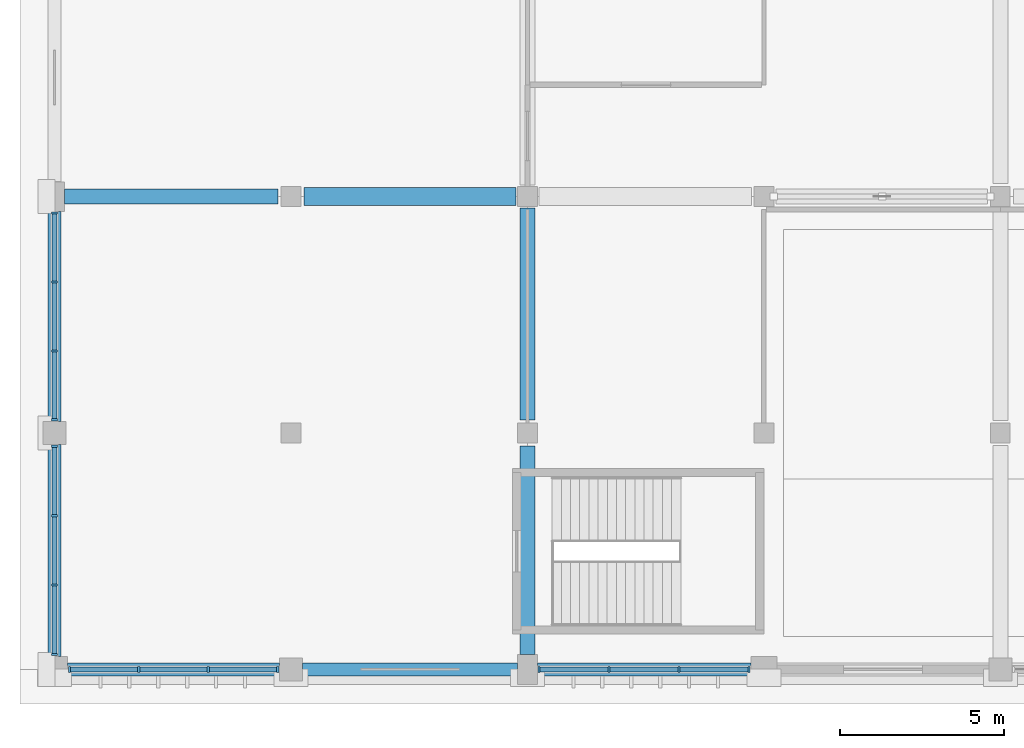
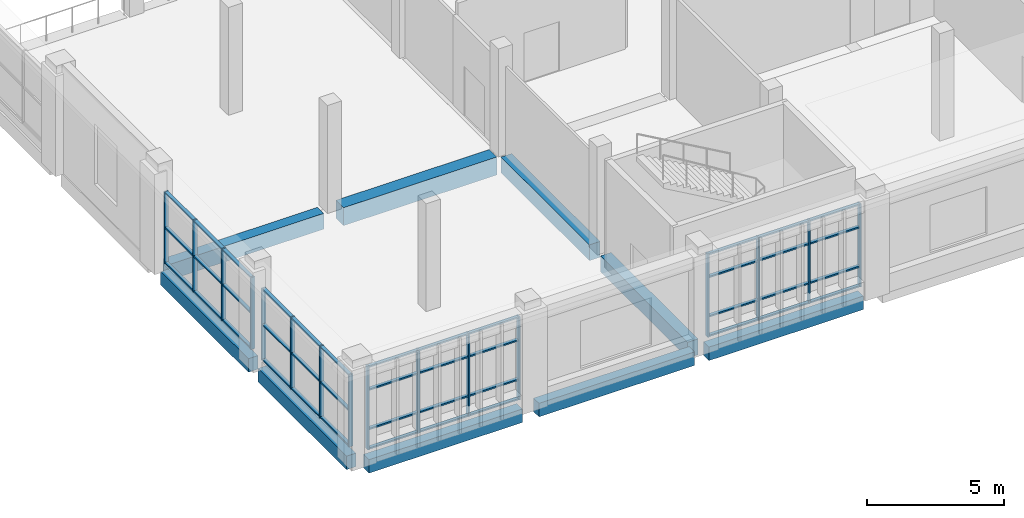
# One storey, part 16 of 82: 58 members, 9 beams, 4 elements without a shape of their own.
"""IFC4 building model written with IfcOpenShell, lengths in metres."""

from ifc_helpers import new_model, si_unit, direction, frame, origin, origin_2d, place, context, subcontext, project, spatial, rectangle, extrude, material, material_profile, profile_set, type_object, element, aggregate, save


model = new_model("IFC4")

# Units and contexts
model_context = context("Model", 3, precision=1e-05, world=origin(), true_north=direction((0.0, 1.0)))
body_context = subcontext(model_context, "Body", "Model", "MODEL_VIEW")
ifc_project = project(units=[si_unit("LENGTHUNIT", "METRE"), si_unit("AREAUNIT", "SQUARE_METRE"), si_unit("VOLUMEUNIT", "CUBIC_METRE"), si_unit("PLANEANGLEUNIT", "RADIAN"), si_unit("MASSUNIT", "GRAM", prefix="KILO")], contexts=[model_context])

# Site, building, storey
site_placement = place(None, origin())
site = spatial("IfcSite", under=ifc_project, at=site_placement, CompositionType="ELEMENT")
building_placement = place(site_placement, origin())
building = spatial("IfcBuilding", under=site, at=building_placement, Name="Sardonyx Promenade Sports Hall", CompositionType="ELEMENT")
storey_placement = place(building_placement, frame((0.0, 0.0, 11.199951171875)))
storey = spatial("IfcBuildingStorey", under=building, at=storey_placement, Name="L02", CompositionType="ELEMENT", Elevation=11.199951171875)

# Beams
ifc_material_1 = material(Name="Concrete C40/50", Category="concrete")
ifc_material_profile_1 = material_profile(ifc_material_1, rectangle(XDim=0.550048828125, YDim=0.800048828125, at=origin_2d()))
ifc_profile_set_1 = profile_set([ifc_material_profile_1], Name="Concrete C40/50")
beam_type_1 = type_object("IfcBeamType", Name="Bm_Girder_RC800", PredefinedType="BEAM", material=ifc_profile_set_1)
beam_1_placement = place(storey_placement, frame((7.60009765625, 14.39990234375, -0.39990234375), z_axis=(1.0, 0.0, 0.0), x_axis=(0.0, 1.0, 0.0)))
element("IfcBeam", 1, at=beam_1_placement, inside=storey, type_object=beam_type_1, Name="Beam BG04 L02 #471", PredefinedType="BEAM", context=body_context, shape_type="SweptSolid", body=[
    extrude(rectangle(XDim=0.550048828125, YDim=0.800048828125, at=origin_2d()), origin(), (0.0, 0.0, 1.0), 6.449951171875),
])
ifc_material_2 = material(Name="Concrete C40/50", Category="concrete")
ifc_material_profile_2 = material_profile(ifc_material_2, rectangle(XDim=0.449951171875, YDim=0.699951171875, at=origin_2d()))
ifc_profile_set_2 = profile_set([ifc_material_profile_2], Name="Concrete C40/50")
beam_type_2 = type_object("IfcBeamType", Name="Bm_Primary_RC700", PredefinedType="BEAM", material=ifc_profile_set_2)
beam_2_placement = place(storey_placement, frame((0.300048828125, 14.39990234375, -0.349853515625), z_axis=(1.0, 0.0, 0.0), x_axis=(0.0, 1.0, 0.0)))
element("IfcBeam", 2, at=beam_2_placement, inside=storey, type_object=beam_type_2, Name="Beam BG01 L02 #470", PredefinedType="BEAM", context=body_context, shape_type="SweptSolid", body=[
    extrude(rectangle(XDim=0.449951171875, YDim=0.699951171875, at=origin_2d()), origin(), (0.0, 0.0, 1.0), 6.5),
])
beam_3_placement = place(storey_placement, frame((14.39990234375, 0.449951171875, -0.349853515625), z_axis=(0.0, 1.0, 0.0), x_axis=(-1.0, 0.0, 0.0)))
element("IfcBeam", 3, at=beam_3_placement, inside=storey, type_object=beam_type_2, Name="Beam BG01 L02 #572", PredefinedType="BEAM", context=body_context, shape_type="SweptSolid", body=[
    extrude(rectangle(XDim=0.449951171875, YDim=0.699951171875, at=origin_2d()), origin(), (0.0, 0.0, 1.0), 6.35009765625),
])
beam_4_placement = place(storey_placement, frame((14.39990234375, 7.60009765625, -0.349853515625), z_axis=(0.0, 1.0, 0.0), x_axis=(-1.0, 0.0, 0.0)))
element("IfcBeam", 4, at=beam_4_placement, inside=storey, type_object=beam_type_2, Name="Beam BG01 L02 #573", PredefinedType="BEAM", context=body_context, shape_type="SweptSolid", body=[
    extrude(rectangle(XDim=0.449951171875, YDim=0.699951171875, at=origin_2d()), origin(), (0.0, 0.0, 1.0), 6.449951171875),
])
ifc_material_3 = material(Name="Concrete C40/50", Category="concrete")
ifc_material_profile_3 = material_profile(ifc_material_3, rectangle(XDim=0.39990234375, YDim=0.60009765625, at=origin_2d()))
ifc_profile_set_3 = profile_set([ifc_material_profile_3], Name="Concrete C40/50")
beam_type_3 = type_object("IfcBeamType", Name="Bm_Spandrel_RC600", PredefinedType="SPANDREL", material=ifc_profile_set_3)
beam_5_placement = place(storey_placement, frame((0.39990234375, 0.0, -0.300048828125), z_axis=(1.0, 0.0, 0.0), x_axis=(0.0, 1.0, 0.0)))
element("IfcBeam", 5, at=beam_5_placement, inside=storey, type_object=beam_type_3, Name="Beam SPB1 L02 #447", PredefinedType="SPANDREL", context=body_context, shape_type="SweptSolid", body=[
    extrude(rectangle(XDim=0.39990234375, YDim=0.60009765625, at=origin_2d()), origin(), (0.0, 0.0, 1.0), 6.4501953125),
])
beam_6_placement = place(storey_placement, frame((7.550048828125, 0.0, -0.300048828125), z_axis=(1.0, 0.0, 0.0), x_axis=(0.0, 1.0, 0.0)))
element("IfcBeam", 6, at=beam_6_placement, inside=storey, type_object=beam_type_3, Name="Beam SPB1 L02 #448", PredefinedType="SPANDREL", context=body_context, shape_type="SweptSolid", body=[
    extrude(rectangle(XDim=0.39990234375, YDim=0.60009765625, at=origin_2d()), origin(), (0.0, 0.0, 1.0), 6.550048828125),
])
beam_7_placement = place(storey_placement, frame((14.699951171875, 0.0, -0.300048828125), z_axis=(1.0, 0.0, 0.0), x_axis=(0.0, 1.0, 0.0)))
element("IfcBeam", 7, at=beam_7_placement, inside=storey, type_object=beam_type_3, Name="Beam SPB1 L02 #449", PredefinedType="SPANDREL", context=body_context, shape_type="SweptSolid", body=[
    extrude(rectangle(XDim=0.39990234375, YDim=0.60009765625, at=origin_2d()), origin(), (0.0, 0.0, 1.0), 6.5),
])
beam_8_placement = place(storey_placement, frame((0.0, 0.39990234375, -0.300048828125), z_axis=(0.0, 1.0, 0.0), x_axis=(-1.0, 0.0, 0.0)))
element("IfcBeam", 8, at=beam_8_placement, inside=storey, type_object=beam_type_3, Name="Beam SPB1 L02 #568", PredefinedType="SPANDREL", context=body_context, shape_type="SweptSolid", body=[
    extrude(rectangle(XDim=0.39990234375, YDim=0.60009765625, at=origin_2d()), origin(), (0.0, 0.0, 1.0), 6.4501953125),
])
beam_9_placement = place(storey_placement, frame((0.0, 7.550048828125, -0.300048828125), z_axis=(0.0, 1.0, 0.0), x_axis=(-1.0, 0.0, 0.0)))
element("IfcBeam", 9, at=beam_9_placement, inside=storey, type_object=beam_type_3, Name="Beam SPB1 L02 #569", PredefinedType="SPANDREL", context=body_context, shape_type="SweptSolid", body=[
    extrude(rectangle(XDim=0.39990234375, YDim=0.60009765625, at=origin_2d()), origin(), (0.0, 0.0, 1.0), 6.39990234375),
])

# Curtain wall, members
ifc_material_4 = material(Name="Aluminium 6063-T6", Category="aluminium")
curtain_wall_type_1 = type_object("IfcCurtainWallType", Name="CW_South_L02_640", PredefinedType="USERDEFINED", material=ifc_material_4)
curtain_wall_1_placement = place(storey_placement, origin())
curtain_wall_1 = element("IfcCurtainWall", 10, at=curtain_wall_1_placement, inside=storey, type_object=curtain_wall_type_1, Name="Curtain wall CW01 cw:L02:039", ObjectType="CURTAIN WALL", PredefinedType="USERDEFINED")
ifc_material_5 = material(Name="Aluminium 6063-T6", Category="aluminium")
ifc_material_profile_4 = material_profile(ifc_material_5, rectangle(XDim=0.06494140625, YDim=0.175048828125, at=origin_2d()))
ifc_profile_set_4 = profile_set([ifc_material_profile_4], Name="Aluminium 6063-T6")
member_type_1 = type_object("IfcMemberType", Name="CW_Mull_175", PredefinedType="MULLION", material=ifc_profile_set_4)
member_1_placement = place(storey_placement, frame((21.1474609375, 0.0, 0.35009765625), z_axis=(0.0, 0.0, 1.0), x_axis=(-1.0, 0.0, 0.0)))
member_1 = element("IfcMember", 11, at=member_1_placement, type_object=member_type_1, Name="Mullion CM02 cw:L02:039 #1", PredefinedType="MULLION", context=body_context, shape_type="SweptSolid", body=[
    extrude(rectangle(XDim=0.06494140625, YDim=0.175048828125, at=origin_2d()), origin(), (0.0, 0.0, 1.0), 3.699951171875),
])
member_2_placement = place(storey_placement, frame((19.015869140625, 0.0, 0.35009765625), z_axis=(0.0, 0.0, 1.0), x_axis=(-1.0, 0.0, 0.0)))
member_2 = element("IfcMember", 12, at=member_2_placement, type_object=member_type_1, Name="Mullion CM02 cw:L02:039 #2", PredefinedType="MULLION", context=body_context, shape_type="SweptSolid", body=[
    extrude(rectangle(XDim=0.06494140625, YDim=0.175048828125, at=origin_2d()), origin(), (0.0, 0.0, 1.0), 3.699951171875),
])
member_3_placement = place(storey_placement, frame((16.88427734375, 0.0, 0.35009765625), z_axis=(0.0, 0.0, 1.0), x_axis=(-1.0, 0.0, 0.0)))
member_3 = element("IfcMember", 13, at=member_3_placement, type_object=member_type_1, Name="Mullion CM02 cw:L02:039 #3", PredefinedType="MULLION", context=body_context, shape_type="SweptSolid", body=[
    extrude(rectangle(XDim=0.06494140625, YDim=0.175048828125, at=origin_2d()), origin(), (0.0, 0.0, 1.0), 3.699951171875),
])
member_4_placement = place(storey_placement, frame((14.75244140625, 0.0, 0.35009765625), z_axis=(0.0, 0.0, 1.0), x_axis=(-1.0, 0.0, 0.0)))
member_4 = element("IfcMember", 14, at=member_4_placement, type_object=member_type_1, Name="Mullion CM02 cw:L02:039 #4", PredefinedType="MULLION", context=body_context, shape_type="SweptSolid", body=[
    extrude(rectangle(XDim=0.06494140625, YDim=0.175048828125, at=origin_2d()), origin(), (0.0, 0.0, 1.0), 3.699951171875),
])

curtain_wall_2_placement = place(storey_placement, origin())
curtain_wall_2 = element("IfcCurtainWall", 15, at=curtain_wall_2_placement, inside=storey, type_object=curtain_wall_type_1, Name="Curtain wall CW01 cw:L02:040", ObjectType="CURTAIN WALL", PredefinedType="USERDEFINED")
member_5_placement = place(storey_placement, frame((6.797607421875, 0.0, 0.35009765625), z_axis=(0.0, 0.0, 1.0), x_axis=(-1.0, 0.0, 0.0)))
member_5 = element("IfcMember", 16, at=member_5_placement, type_object=member_type_1, Name="Mullion CM02 cw:L02:040 #1", PredefinedType="MULLION", context=body_context, shape_type="SweptSolid", body=[
    extrude(rectangle(XDim=0.06494140625, YDim=0.175048828125, at=origin_2d()), origin(), (0.0, 0.0, 1.0), 3.699951171875),
])
member_6_placement = place(storey_placement, frame((4.6826171875, 0.0, 0.35009765625), z_axis=(0.0, 0.0, 1.0), x_axis=(-1.0, 0.0, 0.0)))
member_6 = element("IfcMember", 17, at=member_6_placement, type_object=member_type_1, Name="Mullion CM02 cw:L02:040 #2", PredefinedType="MULLION", context=body_context, shape_type="SweptSolid", body=[
    extrude(rectangle(XDim=0.06494140625, YDim=0.175048828125, at=origin_2d()), origin(), (0.0, 0.0, 1.0), 3.699951171875),
])
member_7_placement = place(storey_placement, frame((2.5673828125, 0.0, 0.35009765625), z_axis=(0.0, 0.0, 1.0), x_axis=(-1.0, 0.0, 0.0)))
member_7 = element("IfcMember", 18, at=member_7_placement, type_object=member_type_1, Name="Mullion CM02 cw:L02:040 #3", PredefinedType="MULLION", context=body_context, shape_type="SweptSolid", body=[
    extrude(rectangle(XDim=0.06494140625, YDim=0.175048828125, at=origin_2d()), origin(), (0.0, 0.0, 1.0), 3.699951171875),
])
member_8_placement = place(storey_placement, frame((0.452392578125, 0.0, 0.35009765625), z_axis=(0.0, 0.0, 1.0), x_axis=(-1.0, 0.0, 0.0)))
member_8 = element("IfcMember", 19, at=member_8_placement, type_object=member_type_1, Name="Mullion CM02 cw:L02:040 #4", PredefinedType="MULLION", context=body_context, shape_type="SweptSolid", body=[
    extrude(rectangle(XDim=0.06494140625, YDim=0.175048828125, at=origin_2d()), origin(), (0.0, 0.0, 1.0), 3.699951171875),
])

ifc_material_6 = material(Name="Aluminium 6063-T6", Category="aluminium")
curtain_wall_type_2 = type_object("IfcCurtainWallType", Name="CW_Climb_Clerestory", PredefinedType="USERDEFINED", material=ifc_material_6)
curtain_wall_3_placement = place(storey_placement, origin())
curtain_wall_3 = element("IfcCurtainWall", 20, at=curtain_wall_3_placement, inside=storey, type_object=curtain_wall_type_2, Name="Curtain wall CW12 cw:L02:066", ObjectType="CURTAIN WALL", PredefinedType="USERDEFINED")
member_9_placement = place(storey_placement, frame((0.0, 0.452392578125, 0.35009765625), z_axis=(0.0, 0.0, 1.0), x_axis=(0.0, 1.0, 0.0)))
member_9 = element("IfcMember", 21, at=member_9_placement, type_object=member_type_1, Name="Mullion CM02 cw:L02:066 #1", PredefinedType="MULLION", context=body_context, shape_type="SweptSolid", body=[
    extrude(rectangle(XDim=0.06494140625, YDim=0.175048828125, at=origin_2d()), origin(), (0.0, 0.0, 1.0), 3.199951171875),
])
member_10_placement = place(storey_placement, frame((0.0, 2.5673828125, 0.35009765625), z_axis=(0.0, 0.0, 1.0), x_axis=(0.0, 1.0, 0.0)))
member_10 = element("IfcMember", 22, at=member_10_placement, type_object=member_type_1, Name="Mullion CM02 cw:L02:066 #2", PredefinedType="MULLION", context=body_context, shape_type="SweptSolid", body=[
    extrude(rectangle(XDim=0.06494140625, YDim=0.175048828125, at=origin_2d()), origin(), (0.0, 0.0, 1.0), 3.199951171875),
])
member_11_placement = place(storey_placement, frame((0.0, 4.6826171875, 0.35009765625), z_axis=(0.0, 0.0, 1.0), x_axis=(0.0, 1.0, 0.0)))
member_11 = element("IfcMember", 23, at=member_11_placement, type_object=member_type_1, Name="Mullion CM02 cw:L02:066 #3", PredefinedType="MULLION", context=body_context, shape_type="SweptSolid", body=[
    extrude(rectangle(XDim=0.06494140625, YDim=0.175048828125, at=origin_2d()), origin(), (0.0, 0.0, 1.0), 3.199951171875),
])
member_12_placement = place(storey_placement, frame((0.0, 6.797607421875, 0.35009765625), z_axis=(0.0, 0.0, 1.0), x_axis=(0.0, 1.0, 0.0)))
member_12 = element("IfcMember", 24, at=member_12_placement, type_object=member_type_1, Name="Mullion CM02 cw:L02:066 #4", PredefinedType="MULLION", context=body_context, shape_type="SweptSolid", body=[
    extrude(rectangle(XDim=0.06494140625, YDim=0.175048828125, at=origin_2d()), origin(), (0.0, 0.0, 1.0), 3.199951171875),
])

curtain_wall_4_placement = place(storey_placement, origin())
curtain_wall_4 = element("IfcCurtainWall", 25, at=curtain_wall_4_placement, inside=storey, type_object=curtain_wall_type_2, Name="Curtain wall CW12 cw:L02:067", ObjectType="CURTAIN WALL", PredefinedType="USERDEFINED")
member_13_placement = place(storey_placement, frame((0.0, 7.6025390625, 0.35009765625), z_axis=(0.0, 0.0, 1.0), x_axis=(0.0, 1.0, 0.0)))
member_13 = element("IfcMember", 26, at=member_13_placement, type_object=member_type_1, Name="Mullion CM02 cw:L02:067 #1", PredefinedType="MULLION", context=body_context, shape_type="SweptSolid", body=[
    extrude(rectangle(XDim=0.06494140625, YDim=0.175048828125, at=origin_2d()), origin(), (0.0, 0.0, 1.0), 3.199951171875),
])
member_14_placement = place(storey_placement, frame((0.0, 9.700927734375, 0.35009765625), z_axis=(0.0, 0.0, 1.0), x_axis=(0.0, 1.0, 0.0)))
member_14 = element("IfcMember", 27, at=member_14_placement, type_object=member_type_1, Name="Mullion CM02 cw:L02:067 #2", PredefinedType="MULLION", context=body_context, shape_type="SweptSolid", body=[
    extrude(rectangle(XDim=0.06494140625, YDim=0.175048828125, at=origin_2d()), origin(), (0.0, 0.0, 1.0), 3.199951171875),
])
member_15_placement = place(storey_placement, frame((0.0, 11.799072265625, 0.35009765625), z_axis=(0.0, 0.0, 1.0), x_axis=(0.0, 1.0, 0.0)))
member_15 = element("IfcMember", 28, at=member_15_placement, type_object=member_type_1, Name="Mullion CM02 cw:L02:067 #3", PredefinedType="MULLION", context=body_context, shape_type="SweptSolid", body=[
    extrude(rectangle(XDim=0.06494140625, YDim=0.175048828125, at=origin_2d()), origin(), (0.0, 0.0, 1.0), 3.199951171875),
])
member_16_placement = place(storey_placement, frame((0.0, 13.8974609375, 0.35009765625), z_axis=(0.0, 0.0, 1.0), x_axis=(0.0, 1.0, 0.0)))
member_16 = element("IfcMember", 29, at=member_16_placement, type_object=member_type_1, Name="Mullion CM02 cw:L02:067 #4", PredefinedType="MULLION", context=body_context, shape_type="SweptSolid", body=[
    extrude(rectangle(XDim=0.06494140625, YDim=0.175048828125, at=origin_2d()), origin(), (0.0, 0.0, 1.0), 3.199951171875),
])

# Member
ifc_material_7 = material(Name="Aluminium 6063-T6", Category="aluminium")
ifc_material_profile_5 = material_profile(ifc_material_7, rectangle(XDim=0.06494140625, YDim=0.139892578125, at=origin_2d()))
ifc_profile_set_5 = profile_set([ifc_material_profile_5], Name="Aluminium 6063-T6")
member_type_2 = type_object("IfcMemberType", Name="CW_Tran_140", PredefinedType="USERDEFINED", material=ifc_profile_set_5)
member_17_placement = place(storey_placement, frame((21.114990234375, 0.0, 0.382568359375), z_axis=(-1.0, 0.0, 0.0), x_axis=(0.0, 0.0, 1.0)))
member_17 = element("IfcMember", 30, at=member_17_placement, type_object=member_type_2, Name="Transom CT02 cw:L02:039 #1", ObjectType="TRANSOM", PredefinedType="USERDEFINED", context=body_context, shape_type="SweptSolid", body=[
    extrude(rectangle(XDim=0.06494140625, YDim=0.139892578125, at=origin_2d()), origin(), (0.0, 0.0, 1.0), 2.066650390625),
])

member_18_placement = place(storey_placement, frame((21.114990234375, 0.0, 1.25), z_axis=(-1.0, 0.0, 0.0), x_axis=(0.0, 0.0, 1.0)))
member_18 = element("IfcMember", 31, at=member_18_placement, type_object=member_type_2, Name="Transom CT02 cw:L02:039 #2", ObjectType="TRANSOM", PredefinedType="USERDEFINED", context=body_context, shape_type="SweptSolid", body=[
    extrude(rectangle(XDim=0.06494140625, YDim=0.139892578125, at=origin_2d()), origin(), (0.0, 0.0, 1.0), 2.066650390625),
])

member_19_placement = place(storey_placement, frame((21.114990234375, 0.0, 3.0), z_axis=(-1.0, 0.0, 0.0), x_axis=(0.0, 0.0, 1.0)))
member_19 = element("IfcMember", 32, at=member_19_placement, type_object=member_type_2, Name="Transom CT02 cw:L02:039 #3", ObjectType="TRANSOM", PredefinedType="USERDEFINED", context=body_context, shape_type="SweptSolid", body=[
    extrude(rectangle(XDim=0.06494140625, YDim=0.139892578125, at=origin_2d()), origin(), (0.0, 0.0, 1.0), 2.066650390625),
])

member_20_placement = place(storey_placement, frame((21.114990234375, 0.0, 4.017578125), z_axis=(-1.0, 0.0, 0.0), x_axis=(0.0, 0.0, 1.0)))
member_20 = element("IfcMember", 33, at=member_20_placement, type_object=member_type_2, Name="Transom CT02 cw:L02:039 #4", ObjectType="TRANSOM", PredefinedType="USERDEFINED", context=body_context, shape_type="SweptSolid", body=[
    extrude(rectangle(XDim=0.06494140625, YDim=0.139892578125, at=origin_2d()), origin(), (0.0, 0.0, 1.0), 2.066650390625),
])

member_21_placement = place(storey_placement, frame((18.9833984375, 0.0, 0.382568359375), z_axis=(-1.0, 0.0, 0.0), x_axis=(0.0, 0.0, 1.0)))
member_21 = element("IfcMember", 34, at=member_21_placement, type_object=member_type_2, Name="Transom CT02 cw:L02:039 #5", ObjectType="TRANSOM", PredefinedType="USERDEFINED", context=body_context, shape_type="SweptSolid", body=[
    extrude(rectangle(XDim=0.06494140625, YDim=0.139892578125, at=origin_2d()), origin(), (0.0, 0.0, 1.0), 2.066650390625),
])

member_22_placement = place(storey_placement, frame((18.9833984375, 0.0, 1.25), z_axis=(-1.0, 0.0, 0.0), x_axis=(0.0, 0.0, 1.0)))
member_22 = element("IfcMember", 35, at=member_22_placement, type_object=member_type_2, Name="Transom CT02 cw:L02:039 #6", ObjectType="TRANSOM", PredefinedType="USERDEFINED", context=body_context, shape_type="SweptSolid", body=[
    extrude(rectangle(XDim=0.06494140625, YDim=0.139892578125, at=origin_2d()), origin(), (0.0, 0.0, 1.0), 2.066650390625),
])

member_23_placement = place(storey_placement, frame((18.9833984375, 0.0, 3.0), z_axis=(-1.0, 0.0, 0.0), x_axis=(0.0, 0.0, 1.0)))
member_23 = element("IfcMember", 36, at=member_23_placement, type_object=member_type_2, Name="Transom CT02 cw:L02:039 #7", ObjectType="TRANSOM", PredefinedType="USERDEFINED", context=body_context, shape_type="SweptSolid", body=[
    extrude(rectangle(XDim=0.06494140625, YDim=0.139892578125, at=origin_2d()), origin(), (0.0, 0.0, 1.0), 2.066650390625),
])

member_24_placement = place(storey_placement, frame((18.9833984375, 0.0, 4.017578125), z_axis=(-1.0, 0.0, 0.0), x_axis=(0.0, 0.0, 1.0)))
member_24 = element("IfcMember", 37, at=member_24_placement, type_object=member_type_2, Name="Transom CT02 cw:L02:039 #8", ObjectType="TRANSOM", PredefinedType="USERDEFINED", context=body_context, shape_type="SweptSolid", body=[
    extrude(rectangle(XDim=0.06494140625, YDim=0.139892578125, at=origin_2d()), origin(), (0.0, 0.0, 1.0), 2.066650390625),
])

member_25_placement = place(storey_placement, frame((16.8515625, 0.0, 0.382568359375), z_axis=(-1.0, 0.0, 0.0), x_axis=(0.0, 0.0, 1.0)))
member_25 = element("IfcMember", 38, at=member_25_placement, type_object=member_type_2, Name="Transom CT02 cw:L02:039 #9", ObjectType="TRANSOM", PredefinedType="USERDEFINED", context=body_context, shape_type="SweptSolid", body=[
    extrude(rectangle(XDim=0.06494140625, YDim=0.139892578125, at=origin_2d()), origin(), (0.0, 0.0, 1.0), 2.066650390625),
])

member_26_placement = place(storey_placement, frame((16.8515625, 0.0, 1.25), z_axis=(-1.0, 0.0, 0.0), x_axis=(0.0, 0.0, 1.0)))
member_26 = element("IfcMember", 39, at=member_26_placement, type_object=member_type_2, Name="Transom CT02 cw:L02:039 #10", ObjectType="TRANSOM", PredefinedType="USERDEFINED", context=body_context, shape_type="SweptSolid", body=[
    extrude(rectangle(XDim=0.06494140625, YDim=0.139892578125, at=origin_2d()), origin(), (0.0, 0.0, 1.0), 2.066650390625),
])

member_27_placement = place(storey_placement, frame((16.8515625, 0.0, 3.0), z_axis=(-1.0, 0.0, 0.0), x_axis=(0.0, 0.0, 1.0)))
member_27 = element("IfcMember", 40, at=member_27_placement, type_object=member_type_2, Name="Transom CT02 cw:L02:039 #11", ObjectType="TRANSOM", PredefinedType="USERDEFINED", context=body_context, shape_type="SweptSolid", body=[
    extrude(rectangle(XDim=0.06494140625, YDim=0.139892578125, at=origin_2d()), origin(), (0.0, 0.0, 1.0), 2.066650390625),
])

member_28_placement = place(storey_placement, frame((16.8515625, 0.0, 4.017578125), z_axis=(-1.0, 0.0, 0.0), x_axis=(0.0, 0.0, 1.0)))
member_28 = element("IfcMember", 41, at=member_28_placement, type_object=member_type_2, Name="Transom CT02 cw:L02:039 #12", ObjectType="TRANSOM", PredefinedType="USERDEFINED", context=body_context, shape_type="SweptSolid", body=[
    extrude(rectangle(XDim=0.06494140625, YDim=0.139892578125, at=origin_2d()), origin(), (0.0, 0.0, 1.0), 2.066650390625),
])

aggregate(curtain_wall_1, [member_1, member_2, member_3, member_4, member_17, member_18, member_19, member_20, member_21, member_22, member_23, member_24, member_25, member_26, member_27, member_28])

member_29_placement = place(storey_placement, frame((6.764892578125, 0.0, 0.382568359375), z_axis=(-1.0, 0.0, 0.0), x_axis=(0.0, 0.0, 1.0)))
member_29 = element("IfcMember", 42, at=member_29_placement, type_object=member_type_2, Name="Transom CT02 cw:L02:040 #1", ObjectType="TRANSOM", PredefinedType="USERDEFINED", context=body_context, shape_type="SweptSolid", body=[
    extrude(rectangle(XDim=0.06494140625, YDim=0.139892578125, at=origin_2d()), origin(), (0.0, 0.0, 1.0), 2.0498046875),
])

member_30_placement = place(storey_placement, frame((6.764892578125, 0.0, 1.25), z_axis=(-1.0, 0.0, 0.0), x_axis=(0.0, 0.0, 1.0)))
member_30 = element("IfcMember", 43, at=member_30_placement, type_object=member_type_2, Name="Transom CT02 cw:L02:040 #2", ObjectType="TRANSOM", PredefinedType="USERDEFINED", context=body_context, shape_type="SweptSolid", body=[
    extrude(rectangle(XDim=0.06494140625, YDim=0.139892578125, at=origin_2d()), origin(), (0.0, 0.0, 1.0), 2.0498046875),
])

member_31_placement = place(storey_placement, frame((6.764892578125, 0.0, 3.0), z_axis=(-1.0, 0.0, 0.0), x_axis=(0.0, 0.0, 1.0)))
member_31 = element("IfcMember", 44, at=member_31_placement, type_object=member_type_2, Name="Transom CT02 cw:L02:040 #3", ObjectType="TRANSOM", PredefinedType="USERDEFINED", context=body_context, shape_type="SweptSolid", body=[
    extrude(rectangle(XDim=0.06494140625, YDim=0.139892578125, at=origin_2d()), origin(), (0.0, 0.0, 1.0), 2.0498046875),
])

member_32_placement = place(storey_placement, frame((6.764892578125, 0.0, 4.017578125), z_axis=(-1.0, 0.0, 0.0), x_axis=(0.0, 0.0, 1.0)))
member_32 = element("IfcMember", 45, at=member_32_placement, type_object=member_type_2, Name="Transom CT02 cw:L02:040 #4", ObjectType="TRANSOM", PredefinedType="USERDEFINED", context=body_context, shape_type="SweptSolid", body=[
    extrude(rectangle(XDim=0.06494140625, YDim=0.139892578125, at=origin_2d()), origin(), (0.0, 0.0, 1.0), 2.0498046875),
])

member_33_placement = place(storey_placement, frame((4.64990234375, 0.0, 0.382568359375), z_axis=(-1.0, 0.0, 0.0), x_axis=(0.0, 0.0, 1.0)))
member_33 = element("IfcMember", 46, at=member_33_placement, type_object=member_type_2, Name="Transom CT02 cw:L02:040 #5", ObjectType="TRANSOM", PredefinedType="USERDEFINED", context=body_context, shape_type="SweptSolid", body=[
    extrude(rectangle(XDim=0.06494140625, YDim=0.139892578125, at=origin_2d()), origin(), (0.0, 0.0, 1.0), 2.0498046875),
])

member_34_placement = place(storey_placement, frame((4.64990234375, 0.0, 1.25), z_axis=(-1.0, 0.0, 0.0), x_axis=(0.0, 0.0, 1.0)))
member_34 = element("IfcMember", 47, at=member_34_placement, type_object=member_type_2, Name="Transom CT02 cw:L02:040 #6", ObjectType="TRANSOM", PredefinedType="USERDEFINED", context=body_context, shape_type="SweptSolid", body=[
    extrude(rectangle(XDim=0.06494140625, YDim=0.139892578125, at=origin_2d()), origin(), (0.0, 0.0, 1.0), 2.0498046875),
])

member_35_placement = place(storey_placement, frame((4.64990234375, 0.0, 3.0), z_axis=(-1.0, 0.0, 0.0), x_axis=(0.0, 0.0, 1.0)))
member_35 = element("IfcMember", 48, at=member_35_placement, type_object=member_type_2, Name="Transom CT02 cw:L02:040 #7", ObjectType="TRANSOM", PredefinedType="USERDEFINED", context=body_context, shape_type="SweptSolid", body=[
    extrude(rectangle(XDim=0.06494140625, YDim=0.139892578125, at=origin_2d()), origin(), (0.0, 0.0, 1.0), 2.0498046875),
])

member_36_placement = place(storey_placement, frame((4.64990234375, 0.0, 4.017578125), z_axis=(-1.0, 0.0, 0.0), x_axis=(0.0, 0.0, 1.0)))
member_36 = element("IfcMember", 49, at=member_36_placement, type_object=member_type_2, Name="Transom CT02 cw:L02:040 #8", ObjectType="TRANSOM", PredefinedType="USERDEFINED", context=body_context, shape_type="SweptSolid", body=[
    extrude(rectangle(XDim=0.06494140625, YDim=0.139892578125, at=origin_2d()), origin(), (0.0, 0.0, 1.0), 2.0498046875),
])

member_37_placement = place(storey_placement, frame((2.534912109375, 0.0, 0.382568359375), z_axis=(-1.0, 0.0, 0.0), x_axis=(0.0, 0.0, 1.0)))
member_37 = element("IfcMember", 50, at=member_37_placement, type_object=member_type_2, Name="Transom CT02 cw:L02:040 #9", ObjectType="TRANSOM", PredefinedType="USERDEFINED", context=body_context, shape_type="SweptSolid", body=[
    extrude(rectangle(XDim=0.06494140625, YDim=0.139892578125, at=origin_2d()), origin(), (0.0, 0.0, 1.0), 2.0498046875),
])

member_38_placement = place(storey_placement, frame((2.534912109375, 0.0, 1.25), z_axis=(-1.0, 0.0, 0.0), x_axis=(0.0, 0.0, 1.0)))
member_38 = element("IfcMember", 51, at=member_38_placement, type_object=member_type_2, Name="Transom CT02 cw:L02:040 #10", ObjectType="TRANSOM", PredefinedType="USERDEFINED", context=body_context, shape_type="SweptSolid", body=[
    extrude(rectangle(XDim=0.06494140625, YDim=0.139892578125, at=origin_2d()), origin(), (0.0, 0.0, 1.0), 2.0498046875),
])

member_39_placement = place(storey_placement, frame((2.534912109375, 0.0, 3.0), z_axis=(-1.0, 0.0, 0.0), x_axis=(0.0, 0.0, 1.0)))
member_39 = element("IfcMember", 52, at=member_39_placement, type_object=member_type_2, Name="Transom CT02 cw:L02:040 #11", ObjectType="TRANSOM", PredefinedType="USERDEFINED", context=body_context, shape_type="SweptSolid", body=[
    extrude(rectangle(XDim=0.06494140625, YDim=0.139892578125, at=origin_2d()), origin(), (0.0, 0.0, 1.0), 2.0498046875),
])

member_40_placement = place(storey_placement, frame((2.534912109375, 0.0, 4.017578125), z_axis=(-1.0, 0.0, 0.0), x_axis=(0.0, 0.0, 1.0)))
member_40 = element("IfcMember", 53, at=member_40_placement, type_object=member_type_2, Name="Transom CT02 cw:L02:040 #12", ObjectType="TRANSOM", PredefinedType="USERDEFINED", context=body_context, shape_type="SweptSolid", body=[
    extrude(rectangle(XDim=0.06494140625, YDim=0.139892578125, at=origin_2d()), origin(), (0.0, 0.0, 1.0), 2.0498046875),
])

aggregate(curtain_wall_2, [member_5, member_6, member_7, member_8, member_29, member_30, member_31, member_32, member_33, member_34, member_35, member_36, member_37, member_38, member_39, member_40])

member_41_placement = place(storey_placement, frame((0.0, 0.485107421875, 0.382568359375), z_axis=(0.0, 1.0, 0.0), x_axis=(0.0, 0.0, 1.0)))
member_41 = element("IfcMember", 54, at=member_41_placement, type_object=member_type_2, Name="Transom CT02 cw:L02:066 #1", ObjectType="TRANSOM", PredefinedType="USERDEFINED", context=body_context, shape_type="SweptSolid", body=[
    extrude(rectangle(XDim=0.06494140625, YDim=0.139892578125, at=origin_2d()), origin(), (0.0, 0.0, 1.0), 2.0498046875),
])

member_42_placement = place(storey_placement, frame((0.0, 0.485107421875, 1.949951171875), z_axis=(0.0, 1.0, 0.0), x_axis=(0.0, 0.0, 1.0)))
member_42 = element("IfcMember", 55, at=member_42_placement, type_object=member_type_2, Name="Transom CT02 cw:L02:066 #2", ObjectType="TRANSOM", PredefinedType="USERDEFINED", context=body_context, shape_type="SweptSolid", body=[
    extrude(rectangle(XDim=0.06494140625, YDim=0.139892578125, at=origin_2d()), origin(), (0.0, 0.0, 1.0), 2.0498046875),
])

member_43_placement = place(storey_placement, frame((0.0, 0.485107421875, 3.517578125), z_axis=(0.0, 1.0, 0.0), x_axis=(0.0, 0.0, 1.0)))
member_43 = element("IfcMember", 56, at=member_43_placement, type_object=member_type_2, Name="Transom CT02 cw:L02:066 #3", ObjectType="TRANSOM", PredefinedType="USERDEFINED", context=body_context, shape_type="SweptSolid", body=[
    extrude(rectangle(XDim=0.06494140625, YDim=0.139892578125, at=origin_2d()), origin(), (0.0, 0.0, 1.0), 2.0498046875),
])

member_44_placement = place(storey_placement, frame((0.0, 2.60009765625, 0.382568359375), z_axis=(0.0, 1.0, 0.0), x_axis=(0.0, 0.0, 1.0)))
member_44 = element("IfcMember", 57, at=member_44_placement, type_object=member_type_2, Name="Transom CT02 cw:L02:066 #4", ObjectType="TRANSOM", PredefinedType="USERDEFINED", context=body_context, shape_type="SweptSolid", body=[
    extrude(rectangle(XDim=0.06494140625, YDim=0.139892578125, at=origin_2d()), origin(), (0.0, 0.0, 1.0), 2.0498046875),
])

member_45_placement = place(storey_placement, frame((0.0, 2.60009765625, 1.949951171875), z_axis=(0.0, 1.0, 0.0), x_axis=(0.0, 0.0, 1.0)))
member_45 = element("IfcMember", 58, at=member_45_placement, type_object=member_type_2, Name="Transom CT02 cw:L02:066 #5", ObjectType="TRANSOM", PredefinedType="USERDEFINED", context=body_context, shape_type="SweptSolid", body=[
    extrude(rectangle(XDim=0.06494140625, YDim=0.139892578125, at=origin_2d()), origin(), (0.0, 0.0, 1.0), 2.0498046875),
])

member_46_placement = place(storey_placement, frame((0.0, 2.60009765625, 3.517578125), z_axis=(0.0, 1.0, 0.0), x_axis=(0.0, 0.0, 1.0)))
member_46 = element("IfcMember", 59, at=member_46_placement, type_object=member_type_2, Name="Transom CT02 cw:L02:066 #6", ObjectType="TRANSOM", PredefinedType="USERDEFINED", context=body_context, shape_type="SweptSolid", body=[
    extrude(rectangle(XDim=0.06494140625, YDim=0.139892578125, at=origin_2d()), origin(), (0.0, 0.0, 1.0), 2.0498046875),
])

member_47_placement = place(storey_placement, frame((0.0, 4.715087890625, 0.382568359375), z_axis=(0.0, 1.0, 0.0), x_axis=(0.0, 0.0, 1.0)))
member_47 = element("IfcMember", 60, at=member_47_placement, type_object=member_type_2, Name="Transom CT02 cw:L02:066 #7", ObjectType="TRANSOM", PredefinedType="USERDEFINED", context=body_context, shape_type="SweptSolid", body=[
    extrude(rectangle(XDim=0.06494140625, YDim=0.139892578125, at=origin_2d()), origin(), (0.0, 0.0, 1.0), 2.0498046875),
])

member_48_placement = place(storey_placement, frame((0.0, 4.715087890625, 1.949951171875), z_axis=(0.0, 1.0, 0.0), x_axis=(0.0, 0.0, 1.0)))
member_48 = element("IfcMember", 61, at=member_48_placement, type_object=member_type_2, Name="Transom CT02 cw:L02:066 #8", ObjectType="TRANSOM", PredefinedType="USERDEFINED", context=body_context, shape_type="SweptSolid", body=[
    extrude(rectangle(XDim=0.06494140625, YDim=0.139892578125, at=origin_2d()), origin(), (0.0, 0.0, 1.0), 2.0498046875),
])

member_49_placement = place(storey_placement, frame((0.0, 4.715087890625, 3.517578125), z_axis=(0.0, 1.0, 0.0), x_axis=(0.0, 0.0, 1.0)))
member_49 = element("IfcMember", 62, at=member_49_placement, type_object=member_type_2, Name="Transom CT02 cw:L02:066 #9", ObjectType="TRANSOM", PredefinedType="USERDEFINED", context=body_context, shape_type="SweptSolid", body=[
    extrude(rectangle(XDim=0.06494140625, YDim=0.139892578125, at=origin_2d()), origin(), (0.0, 0.0, 1.0), 2.0498046875),
])

aggregate(curtain_wall_3, [member_9, member_10, member_11, member_12, member_41, member_42, member_43, member_44, member_45, member_46, member_47, member_48, member_49])

member_50_placement = place(storey_placement, frame((0.0, 7.635009765625, 0.382568359375), z_axis=(0.0, 1.0, 0.0), x_axis=(0.0, 0.0, 1.0)))
member_50 = element("IfcMember", 63, at=member_50_placement, type_object=member_type_2, Name="Transom CT02 cw:L02:067 #1", ObjectType="TRANSOM", PredefinedType="USERDEFINED", context=body_context, shape_type="SweptSolid", body=[
    extrude(rectangle(XDim=0.06494140625, YDim=0.139892578125, at=origin_2d()), origin(), (0.0, 0.0, 1.0), 2.033203125),
])

member_51_placement = place(storey_placement, frame((0.0, 7.635009765625, 1.949951171875), z_axis=(0.0, 1.0, 0.0), x_axis=(0.0, 0.0, 1.0)))
member_51 = element("IfcMember", 64, at=member_51_placement, type_object=member_type_2, Name="Transom CT02 cw:L02:067 #2", ObjectType="TRANSOM", PredefinedType="USERDEFINED", context=body_context, shape_type="SweptSolid", body=[
    extrude(rectangle(XDim=0.06494140625, YDim=0.139892578125, at=origin_2d()), origin(), (0.0, 0.0, 1.0), 2.033203125),
])

member_52_placement = place(storey_placement, frame((0.0, 7.635009765625, 3.517578125), z_axis=(0.0, 1.0, 0.0), x_axis=(0.0, 0.0, 1.0)))
member_52 = element("IfcMember", 65, at=member_52_placement, type_object=member_type_2, Name="Transom CT02 cw:L02:067 #3", ObjectType="TRANSOM", PredefinedType="USERDEFINED", context=body_context, shape_type="SweptSolid", body=[
    extrude(rectangle(XDim=0.06494140625, YDim=0.139892578125, at=origin_2d()), origin(), (0.0, 0.0, 1.0), 2.033203125),
])

member_53_placement = place(storey_placement, frame((0.0, 9.7333984375, 0.382568359375), z_axis=(0.0, 1.0, 0.0), x_axis=(0.0, 0.0, 1.0)))
member_53 = element("IfcMember", 66, at=member_53_placement, type_object=member_type_2, Name="Transom CT02 cw:L02:067 #4", ObjectType="TRANSOM", PredefinedType="USERDEFINED", context=body_context, shape_type="SweptSolid", body=[
    extrude(rectangle(XDim=0.06494140625, YDim=0.139892578125, at=origin_2d()), origin(), (0.0, 0.0, 1.0), 2.033203125),
])

member_54_placement = place(storey_placement, frame((0.0, 9.7333984375, 1.949951171875), z_axis=(0.0, 1.0, 0.0), x_axis=(0.0, 0.0, 1.0)))
member_54 = element("IfcMember", 67, at=member_54_placement, type_object=member_type_2, Name="Transom CT02 cw:L02:067 #5", ObjectType="TRANSOM", PredefinedType="USERDEFINED", context=body_context, shape_type="SweptSolid", body=[
    extrude(rectangle(XDim=0.06494140625, YDim=0.139892578125, at=origin_2d()), origin(), (0.0, 0.0, 1.0), 2.033203125),
])

member_55_placement = place(storey_placement, frame((0.0, 9.7333984375, 3.517578125), z_axis=(0.0, 1.0, 0.0), x_axis=(0.0, 0.0, 1.0)))
member_55 = element("IfcMember", 68, at=member_55_placement, type_object=member_type_2, Name="Transom CT02 cw:L02:067 #6", ObjectType="TRANSOM", PredefinedType="USERDEFINED", context=body_context, shape_type="SweptSolid", body=[
    extrude(rectangle(XDim=0.06494140625, YDim=0.139892578125, at=origin_2d()), origin(), (0.0, 0.0, 1.0), 2.033203125),
])

member_56_placement = place(storey_placement, frame((0.0, 11.831787109375, 0.382568359375), z_axis=(0.0, 1.0, 0.0), x_axis=(0.0, 0.0, 1.0)))
member_56 = element("IfcMember", 69, at=member_56_placement, type_object=member_type_2, Name="Transom CT02 cw:L02:067 #7", ObjectType="TRANSOM", PredefinedType="USERDEFINED", context=body_context, shape_type="SweptSolid", body=[
    extrude(rectangle(XDim=0.06494140625, YDim=0.139892578125, at=origin_2d()), origin(), (0.0, 0.0, 1.0), 2.033203125),
])

member_57_placement = place(storey_placement, frame((0.0, 11.831787109375, 1.949951171875), z_axis=(0.0, 1.0, 0.0), x_axis=(0.0, 0.0, 1.0)))
member_57 = element("IfcMember", 70, at=member_57_placement, type_object=member_type_2, Name="Transom CT02 cw:L02:067 #8", ObjectType="TRANSOM", PredefinedType="USERDEFINED", context=body_context, shape_type="SweptSolid", body=[
    extrude(rectangle(XDim=0.06494140625, YDim=0.139892578125, at=origin_2d()), origin(), (0.0, 0.0, 1.0), 2.033203125),
])

member_58_placement = place(storey_placement, frame((0.0, 11.831787109375, 3.517578125), z_axis=(0.0, 1.0, 0.0), x_axis=(0.0, 0.0, 1.0)))
member_58 = element("IfcMember", 71, at=member_58_placement, type_object=member_type_2, Name="Transom CT02 cw:L02:067 #9", ObjectType="TRANSOM", PredefinedType="USERDEFINED", context=body_context, shape_type="SweptSolid", body=[
    extrude(rectangle(XDim=0.06494140625, YDim=0.139892578125, at=origin_2d()), origin(), (0.0, 0.0, 1.0), 2.033203125),
])

aggregate(curtain_wall_4, [member_13, member_14, member_15, member_16, member_50, member_51, member_52, member_53, member_54, member_55, member_56, member_57, member_58])

save(model, "model.ifc")
